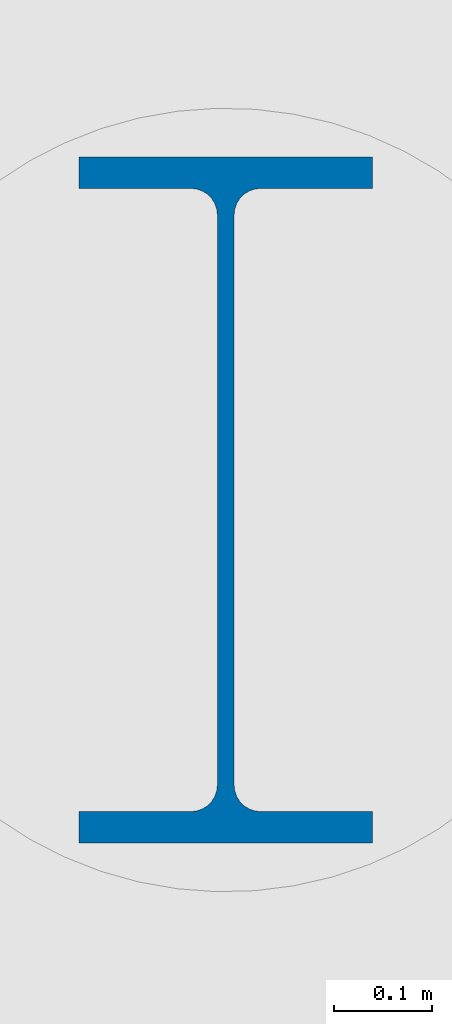
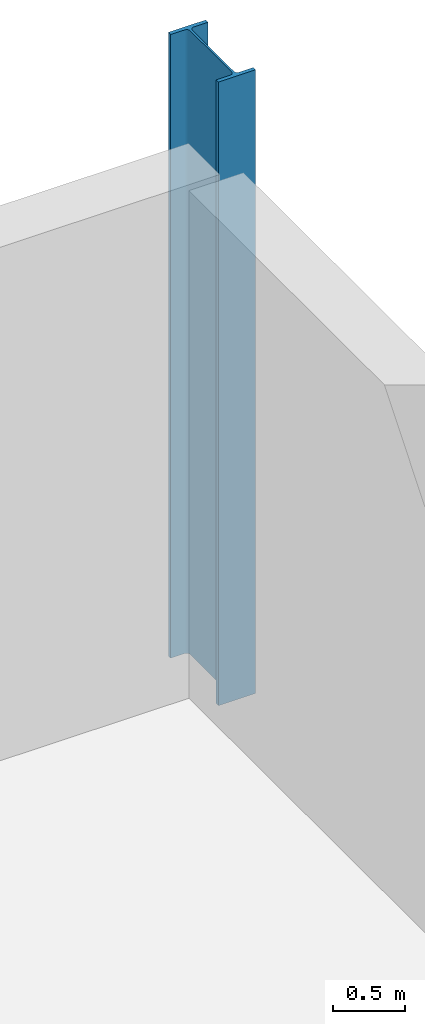
# One storey, part 23 of 48: 1 column.
"""IFC4 building model written with IfcOpenShell, lengths in metres."""

from ifc_helpers import new_model, si_unit, direction, frame, origin, origin_2d, place, context, subcontext, project, spatial, i_section, extrude, material, material_profile, profile_set, type_object, element, save


model = new_model("IFC4")

# Units and contexts
model_context = context("Model", 3, precision=1e-05, world=origin(), true_north=direction((0.0, 1.0)))
body_context = subcontext(model_context, "Body", "Model", "MODEL_VIEW")
ifc_project = project(units=[si_unit("LENGTHUNIT", "METRE"), si_unit("AREAUNIT", "SQUARE_METRE"), si_unit("VOLUMEUNIT", "CUBIC_METRE"), si_unit("PLANEANGLEUNIT", "RADIAN"), si_unit("MASSUNIT", "GRAM", prefix="KILO")], contexts=[model_context])

# Site, building, storey
site_placement = place(None, origin())
site = spatial("IfcSite", under=ifc_project, at=site_placement, CompositionType="ELEMENT")
building_placement = place(site_placement, origin())
building = spatial("IfcBuilding", under=site, at=building_placement, Name="Nabrawat Pavilion Hospital", CompositionType="ELEMENT")
storey_placement = place(building_placement, frame((0.0, 0.0, -5.10009765625)))
storey = spatial("IfcBuildingStorey", under=building, at=storey_placement, Name="B1", CompositionType="ELEMENT", Elevation=-5.10009765625)

# Column
ifc_material = material(Name="Steel S355", Category="steel")
ifc_material_profile = material_profile(ifc_material, i_section(OverallWidth=0.300048828125, OverallDepth=0.699951171875, WebThickness=0.01708984375, FlangeThickness=0.031982421875, FilletRadius=0.027099609375, at=origin_2d()), Name="HEB 700")
ifc_profile_set = profile_set([ifc_material_profile], Name="Steel S355")
column_type = type_object("IfcColumnType", Name="Base Transfer Steel Column HEB 700", PredefinedType="COLUMN", material=ifc_profile_set)
column_placement = place(storey_placement, frame((193.199951171875, 124.800048828125, -0.219970703125), z_axis=(0.0, 0.0, 1.0), x_axis=(1.0, 0.0, 0.0)))
element("IfcColumn", 1, at=column_placement, inside=storey, type_object=column_type, Name="B1 Structural Column G-24-S", PredefinedType="COLUMN", context=body_context, shape_type="SweptSolid", body=[
    extrude(i_section(OverallWidth=0.300048828125, OverallDepth=0.699951171875, WebThickness=0.01708984375, FlangeThickness=0.031982421875, FilletRadius=0.027099609375, at=origin_2d()), origin(), (0.0, 0.0, 1.0), 5.320068359375),
])

save(model, "model.ifc")
